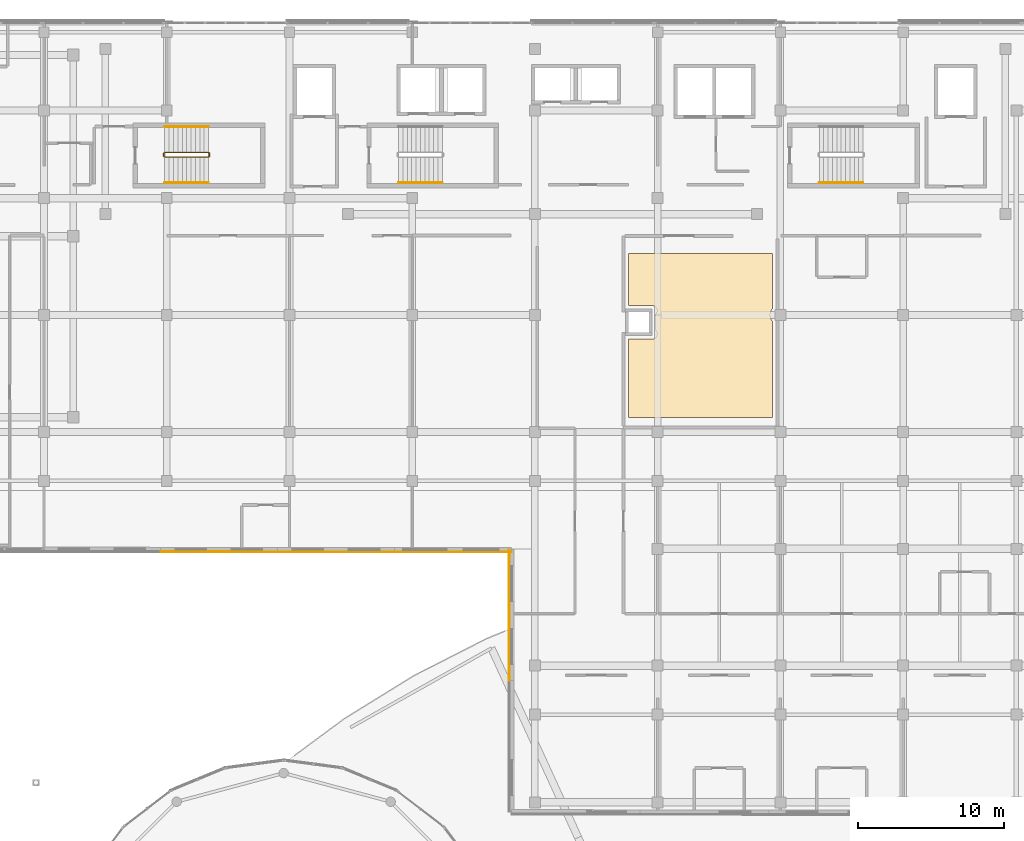
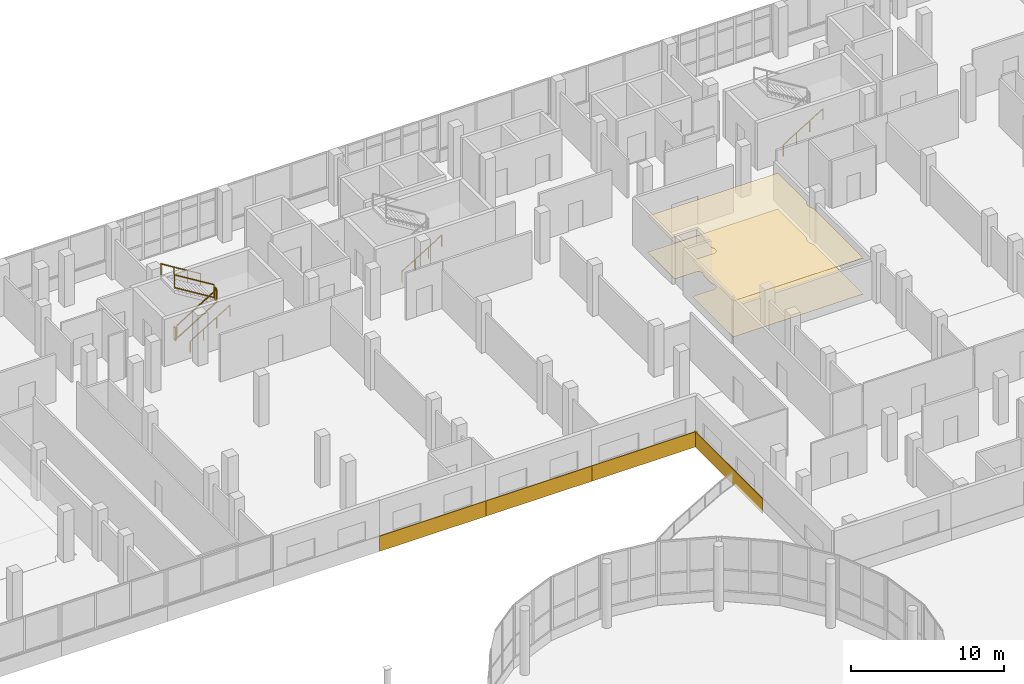
# One storey, part 98 of 101: 8 railings, 6 coverings.
"""IFC4 building model written with IfcOpenShell, lengths in metres."""

from ifc_helpers import new_model, si_unit, direction, frame, origin, origin_2d, place, context, subcontext, project, spatial, polyline, rectangle, circle, outline, extrude, material, layer, layer_set, type_object, element, save


model = new_model("IFC4")

# Units and contexts
model_context = context("Model", 3, precision=1e-05, world=origin(), true_north=direction((0.0, 1.0)))
body_context = subcontext(model_context, "Body", "Model", "MODEL_VIEW")
ifc_project = project(units=[si_unit("LENGTHUNIT", "METRE"), si_unit("AREAUNIT", "SQUARE_METRE"), si_unit("VOLUMEUNIT", "CUBIC_METRE"), si_unit("PLANEANGLEUNIT", "RADIAN"), si_unit("MASSUNIT", "GRAM", prefix="KILO")], contexts=[model_context])

# Site, building, storey
site_placement = place(None, origin())
site = spatial("IfcSite", under=ifc_project, at=site_placement, CompositionType="ELEMENT")
building_placement = place(site_placement, origin())
building = spatial("IfcBuilding", under=site, at=building_placement, Name="Selatvlak General Hospital", CompositionType="ELEMENT")
storey_placement = place(building_placement, frame((0.0, 0.0, 19.199951171875)))
storey = spatial("IfcBuildingStorey", under=building, at=storey_placement, Name="L04", CompositionType="ELEMENT", Elevation=19.199951171875)

# Coverings
ifc_material_1 = material(Name="Acoustic mineral fibre ceiling tile")
ifc_layer_1 = layer(ifc_material_1, 0.02490234375, Name="Acoustic mineral fibre ceiling tile")
ifc_layer_set_1 = layer_set([ifc_layer_1], Name="Acoustic mineral fibre ceiling tile")
covering_type_1 = type_object("IfcCoveringType", Name="COV-CEIL1", PredefinedType="CEILING", material=ifc_layer_set_1)
covering_1_placement = place(storey_placement, frame((0.0, 0.0, 2.8701171875)))
element("IfcCovering", 1, at=covering_1_placement, inside=storey, type_object=covering_type_1, Name="L04 clinical acoustic ceiling 010", PredefinedType="CEILING", context=body_context, shape_type="SweptSolid", body=[
    extrude(outline(polyline([(131.449951171875, 104.199951171875), (131.449951171875, 100.431884765625), (131.41796875, 100.388916015625), (131.383056640625, 100.330078125), (131.35302734375, 100.26806640625), (131.330078125, 100.202880859375), (131.31298828125, 100.136962890625), (131.302978515625, 100.069091796875), (131.300048828125, 100.0), (131.302978515625, 99.930908203125), (131.31298828125, 99.863037109375), (131.330078125, 99.797119140625), (131.35302734375, 99.73193359375), (131.383056640625, 99.669921875), (131.41796875, 99.611083984375), (131.449951171875, 99.568115234375), (131.449951171875, 93.0), (121.610107421875, 93.0), (121.610107421875, 98.35009765625), (123.199951171875, 98.35009765625), (123.23388671875, 98.35205078125), (123.26806640625, 98.35693359375), (123.302001953125, 98.364990234375), (123.333984375, 98.376953125), (123.364990234375, 98.39111328125), (123.39404296875, 98.408935546875), (123.422119140625, 98.428955078125), (123.447021484375, 98.452880859375), (123.470947265625, 98.47802734375), (123.490966796875, 98.506103515625), (123.509033203125, 98.534912109375), (123.52294921875, 98.56591796875), (123.534912109375, 98.597900390625), (123.54296875, 98.632080078125), (123.548095703125, 98.666015625), (123.550048828125, 98.699951171875), (123.548095703125, 98.73388671875), (123.54296875, 98.76806640625), (123.534912109375, 98.802001953125), (123.52294921875, 98.833984375), (123.509033203125, 98.864990234375), (123.490966796875, 98.89404296875), (123.470947265625, 98.922119140625), (123.449951171875, 98.945068359375), (123.449951171875, 100.054931640625), (123.470947265625, 100.077880859375), (123.490966796875, 100.10595703125), (123.509033203125, 100.135009765625), (123.52294921875, 100.166015625), (123.534912109375, 100.197998046875), (123.54296875, 100.23193359375), (123.548095703125, 100.26611328125), (123.550048828125, 100.300048828125), (123.548095703125, 100.333984375), (123.54296875, 100.367919921875), (123.534912109375, 100.402099609375), (123.52294921875, 100.43408203125), (123.509033203125, 100.465087890625), (123.490966796875, 100.493896484375), (123.470947265625, 100.52197265625), (123.447021484375, 100.547119140625), (123.422119140625, 100.571044921875), (123.39404296875, 100.591064453125), (123.364990234375, 100.60888671875), (123.333984375, 100.623046875), (123.302001953125, 100.635009765625), (123.26806640625, 100.64306640625), (123.23388671875, 100.64794921875), (123.199951171875, 100.64990234375), (121.610107421875, 100.64990234375), (121.610107421875, 104.199951171875), (131.449951171875, 104.199951171875)])), origin(), (0.0, 0.0, 1.0), 0.02490234375),
])
ifc_material_2 = material(Name="Homogeneous anti-static hospital vinyl flooring")
ifc_layer_2 = layer(ifc_material_2, 0.014892578125, Name="Homogeneous anti-static hospital vinyl flooring")
ifc_layer_set_2 = layer_set([ifc_layer_2], Name="Homogeneous anti-static hospital vinyl flooring")
covering_type_2 = type_object("IfcCoveringType", Name="COV-FLR1", PredefinedType="FLOORING", material=ifc_layer_set_2)
covering_2_placement = place(storey_placement, origin())
element("IfcCovering", 2, at=covering_2_placement, inside=storey, type_object=covering_type_2, Name="L04 seamless vinyl flooring 010", PredefinedType="FLOORING", context=body_context, shape_type="SweptSolid", body=[
    extrude(outline(polyline([(131.449951171875, 104.199951171875), (131.449951171875, 100.431884765625), (131.41796875, 100.388916015625), (131.383056640625, 100.330078125), (131.35302734375, 100.26806640625), (131.330078125, 100.202880859375), (131.31298828125, 100.136962890625), (131.302978515625, 100.069091796875), (131.300048828125, 100.0), (131.302978515625, 99.930908203125), (131.31298828125, 99.863037109375), (131.330078125, 99.797119140625), (131.35302734375, 99.73193359375), (131.383056640625, 99.669921875), (131.41796875, 99.611083984375), (131.449951171875, 99.568115234375), (131.449951171875, 93.0), (121.610107421875, 93.0), (121.610107421875, 98.35009765625), (123.199951171875, 98.35009765625), (123.23388671875, 98.35205078125), (123.26806640625, 98.35693359375), (123.302001953125, 98.364990234375), (123.333984375, 98.376953125), (123.364990234375, 98.39111328125), (123.39404296875, 98.408935546875), (123.422119140625, 98.428955078125), (123.447021484375, 98.452880859375), (123.470947265625, 98.47802734375), (123.490966796875, 98.506103515625), (123.509033203125, 98.534912109375), (123.52294921875, 98.56591796875), (123.534912109375, 98.597900390625), (123.54296875, 98.632080078125), (123.548095703125, 98.666015625), (123.550048828125, 98.699951171875), (123.548095703125, 98.73388671875), (123.54296875, 98.76806640625), (123.534912109375, 98.802001953125), (123.52294921875, 98.833984375), (123.509033203125, 98.864990234375), (123.490966796875, 98.89404296875), (123.470947265625, 98.922119140625), (123.449951171875, 98.945068359375), (123.449951171875, 100.054931640625), (123.470947265625, 100.077880859375), (123.490966796875, 100.10595703125), (123.509033203125, 100.135009765625), (123.52294921875, 100.166015625), (123.534912109375, 100.197998046875), (123.54296875, 100.23193359375), (123.548095703125, 100.26611328125), (123.550048828125, 100.300048828125), (123.548095703125, 100.333984375), (123.54296875, 100.367919921875), (123.534912109375, 100.402099609375), (123.52294921875, 100.43408203125), (123.509033203125, 100.465087890625), (123.490966796875, 100.493896484375), (123.470947265625, 100.52197265625), (123.447021484375, 100.547119140625), (123.422119140625, 100.571044921875), (123.39404296875, 100.591064453125), (123.364990234375, 100.60888671875), (123.333984375, 100.623046875), (123.302001953125, 100.635009765625), (123.26806640625, 100.64306640625), (123.23388671875, 100.64794921875), (123.199951171875, 100.64990234375), (121.610107421875, 100.64990234375), (121.610107421875, 104.199951171875), (131.449951171875, 104.199951171875)])), origin(), (0.0, 0.0, 1.0), 0.01513671875),
])
ifc_material_3 = material(Name="White Bauhaus fair-faced cladding panel")
ifc_layer_3 = layer(ifc_material_3, 0.054931640625, Name="White Bauhaus fair-faced cladding panel")
ifc_layer_set_3 = layer_set([ifc_layer_3], Name="White Bauhaus fair-faced cladding panel")
covering_type_3 = type_object("IfcCoveringType", Name="COV-WHT1", PredefinedType="CLADDING", material=ifc_layer_set_3)
covering_3_placement = place(storey_placement, frame((113.43505859375, 79.455078125, -0.27978515625), z_axis=(0.0, 0.0, 1.0), x_axis=(0.0, 1.0, 0.0)))
element("IfcCovering", 3, at=covering_3_placement, inside=storey, type_object=covering_type_3, Name="L04 Bauhaus horizontal white spandrel band 0335", PredefinedType="CLADDING", context=body_context, shape_type="SweptSolid", body=[
    extrude(rectangle(XDim=8.969970703125, YDim=0.054931640625, at=origin_2d()), origin(), (0.0, 0.0, 1.0), 1.219970703125),
])
for number, where, z_axis, x_axis, name in (
    (4, (109.595947265625, 83.778076171875, -0.27978515625), (0.0, 0.0, 1.0), (-0.999999802608, 0.000628318489, 0.0), "L04 Bauhaus horizontal white spandrel band 0336"),
    (5, (101.587890625, 83.782958984375, -0.27978515625), (0.0, 0.0, 1.0), (-0.999999718381, 0.000750491508, 0.0), "L04 Bauhaus horizontal white spandrel band 0337"),
    (6, (93.580078125, 83.7890625, -0.27978515625), (0.0, 0.0, 1.0), (-0.999999802608, 0.000628318489, 0.0), "L04 Bauhaus horizontal white spandrel band 0338"),
):
    element("IfcCovering", number, at=place(storey_placement, frame(where, z_axis=z_axis, x_axis=x_axis)), inside=storey, type_object=covering_type_3, Name=name, PredefinedType="CLADDING", context=body_context, shape_type="SweptSolid", body=[
        extrude(rectangle(XDim=8.008056640625, YDim=0.054931640625, at=origin_2d()), origin(), (0.0, 0.0, 1.0), 1.219970703125),
    ])

# Railings
ifc_material_4 = material(Name="Stainless steel 316 stair guard", Category="steel")
railing_type_1 = type_object("IfcRailingType", Name="RAIL-STG", PredefinedType="GUARDRAIL", material=ifc_material_4)
railing_1_placement = place(storey_placement, frame((89.860107421875, 110.81005859375, 0.18408203125)))
element("IfcRailing", 7, at=railing_1_placement, inside=storey, type_object=railing_type_1, Name="L04 ST-02 stair guard 1", PredefinedType="GUARDRAIL", context=body_context, shape_type="SweptSolid", body=[
    extrude(rectangle(XDim=0.068115234375, YDim=0.068115234375, at=origin_2d()), frame((0.00244140625, 0.0, 1.067626953125), z_axis=(0.852303052018, 0.0, 0.52304828412), x_axis=(0.0, 1.0, 0.0)), (0.0, 0.0, 1.0), 3.513916015625),
    extrude(rectangle(XDim=0.068115234375, YDim=0.068115234375, at=origin_2d()), frame((0.00244140625, 0.0, 0.050537109375), z_axis=(0.852303052018, 0.0, 0.52304828412), x_axis=(0.0, 1.0, 0.0)), (0.0, 0.0, 1.0), 3.513916015625),
    extrude(rectangle(XDim=0.055908203125, YDim=0.055908203125, at=origin_2d()), origin(), (0.0, 0.0, 1.0), 1.029052734375),
    extrude(rectangle(XDim=0.055908203125, YDim=0.055908203125, at=origin_2d()), frame((3.0, 0.0, 1.841064453125)), (0.0, 0.0, 1.0), 1.029052734375),
])
railing_2_placement = place(storey_placement, frame((92.909912109375, 110.860107421875, 2.025146484375)))
element("IfcRailing", 8, at=railing_2_placement, inside=storey, type_object=railing_type_1, Name="L04 ST-02 stair guard 2", PredefinedType="GUARDRAIL", context=body_context, shape_type="SweptSolid", body=[
    extrude(rectangle(XDim=0.068115234375, YDim=0.068115234375, at=origin_2d()), frame((0.0, 0.0029296875, 1.06591796875), z_axis=(0.0, 1.0, 0.0), x_axis=(-1.0, 0.0, 0.0)), (0.0, 0.0, 1.0), 0.214111328125),
    extrude(rectangle(XDim=0.068115234375, YDim=0.068115234375, at=origin_2d()), frame((0.0, 0.0029296875, 0.049072265625), z_axis=(0.0, 1.0, 0.0), x_axis=(-1.0, 0.0, 0.0)), (0.0, 0.0, 1.0), 0.214111328125),
    extrude(rectangle(XDim=0.055908203125, YDim=0.055908203125, at=origin_2d()), origin(), (0.0, 0.0, 1.0), 1.029052734375),
    extrude(rectangle(XDim=0.055908203125, YDim=0.055908203125, at=origin_2d()), frame((0.0, 0.219970703125, 0.0)), (0.0, 0.0, 1.0), 1.029052734375),
])
railing_3_placement = place(storey_placement, frame((92.860107421875, 111.1298828125, 2.209228515625)))
element("IfcRailing", 9, at=railing_3_placement, inside=storey, type_object=railing_type_1, Name="L04 ST-02 stair guard 3", PredefinedType="GUARDRAIL", context=body_context, shape_type="SweptSolid", body=[
    extrude(rectangle(XDim=0.068115234375, YDim=0.068115234375, at=origin_2d()), frame((-0.00244140625, 0.0, 1.067626953125), z_axis=(-0.852333972304, 0.0, 0.522997896417), x_axis=(0.0, -1.0, 0.0)), (0.0, 0.0, 1.0), 3.513916015625),
    extrude(rectangle(XDim=0.068115234375, YDim=0.068115234375, at=origin_2d()), frame((-0.00244140625, 0.0, 0.050537109375), z_axis=(-0.852333972304, 0.0, 0.522997896417), x_axis=(0.0, -1.0, 0.0)), (0.0, 0.0, 1.0), 3.513916015625),
    extrude(rectangle(XDim=0.055908203125, YDim=0.055908203125, at=origin_2d()), origin(), (0.0, 0.0, 1.0), 1.029052734375),
    extrude(rectangle(XDim=0.055908203125, YDim=0.055908203125, at=origin_2d()), frame((-3.0, 0.0, 1.8408203125)), (0.0, 0.0, 1.0), 1.029052734375),
])
railing_4_placement = place(storey_placement, frame((89.81005859375, 110.860107421875, 0.0)))
element("IfcRailing", 10, at=railing_4_placement, inside=storey, type_object=railing_type_1, Name="L04 ST-02 stair guard 4", PredefinedType="GUARDRAIL", context=body_context, shape_type="SweptSolid", body=[
    extrude(rectangle(XDim=0.068115234375, YDim=0.068115234375, at=origin_2d()), frame((0.0, 0.0029296875, 1.06591796875), z_axis=(0.0, 1.0, 0.0), x_axis=(-1.0, 0.0, 0.0)), (0.0, 0.0, 1.0), 0.214111328125),
    extrude(rectangle(XDim=0.068115234375, YDim=0.068115234375, at=origin_2d()), frame((0.0, 0.0029296875, 0.049072265625), z_axis=(0.0, 1.0, 0.0), x_axis=(-1.0, 0.0, 0.0)), (0.0, 0.0, 1.0), 0.214111328125),
    extrude(rectangle(XDim=0.055908203125, YDim=0.055908203125, at=origin_2d()), origin(), (0.0, 0.0, 1.0), 1.029052734375),
    extrude(rectangle(XDim=0.055908203125, YDim=0.055908203125, at=origin_2d()), frame((0.0, 0.219970703125, 0.0)), (0.0, 0.0, 1.0), 1.029052734375),
])
ifc_material_5 = material(Name="Stainless steel 316 handrail", Category="steel")
railing_type_2 = type_object("IfcRailingType", Name="RAIL-STH", PredefinedType="HANDRAIL", material=ifc_material_5)
railing_5_placement = place(storey_placement, frame((89.860107421875, 109.050048828125, 0.18408203125)))
element("IfcRailing", 11, at=railing_5_placement, inside=storey, type_object=railing_type_2, Name="L04 ST-02 stair handrail 1", PredefinedType="HANDRAIL", context=body_context, shape_type="SweptSolid", body=[
    extrude(circle(Radius=0.02392578125, at=origin_2d()), frame((0.00244140625, 0.0, 0.87744140625), z_axis=(0.852303052018, 0.0, 0.52304828412), x_axis=(0.0, 1.0, 0.0)), (0.0, 0.0, 1.0), 3.513916015625),
    extrude(circle(Radius=0.02099609375, at=origin_2d()), origin(), (0.0, 0.0, 1.0), 0.848876953125),
    extrude(circle(Radius=0.02099609375, at=origin_2d()), frame((1.0, 0.0, 0.61376953125)), (0.0, 0.0, 1.0), 0.848876953125),
    extrude(circle(Radius=0.02099609375, at=origin_2d()), frame((2.0, 0.0, 1.227294921875)), (0.0, 0.0, 1.0), 0.848876953125),
    extrude(circle(Radius=0.02099609375, at=origin_2d()), frame((3.0, 0.0, 1.841064453125)), (0.0, 0.0, 1.0), 0.848876953125),
])
railing_6_placement = place(storey_placement, frame((92.860107421875, 112.889892578125, 2.209228515625)))
element("IfcRailing", 12, at=railing_6_placement, inside=storey, type_object=railing_type_2, Name="L04 ST-02 stair handrail 2", PredefinedType="HANDRAIL", context=body_context, shape_type="SweptSolid", body=[
    extrude(circle(Radius=0.02392578125, at=origin_2d()), frame((-0.00244140625, 0.0, 0.87744140625), z_axis=(-0.852333972304, 0.0, 0.522997896417), x_axis=(0.0, -1.0, 0.0)), (0.0, 0.0, 1.0), 3.513916015625),
    extrude(circle(Radius=0.02099609375, at=origin_2d()), origin(), (0.0, 0.0, 1.0), 0.848876953125),
    extrude(circle(Radius=0.02099609375, at=origin_2d()), frame((-1.0, 0.0, 0.613525390625)), (0.0, 0.0, 1.0), 0.848876953125),
    extrude(circle(Radius=0.02099609375, at=origin_2d()), frame((-2.0, 0.0, 1.227294921875)), (0.0, 0.0, 1.0), 0.848876953125),
    extrude(circle(Radius=0.02099609375, at=origin_2d()), frame((-3.0, 0.0, 1.8408203125)), (0.0, 0.0, 1.0), 0.848876953125),
])
for number, where, name in (
    (13, (105.860107421875, 109.050048828125, 0.18408203125), "L04 ST-03 stair handrail 1"),
    (14, (134.659912109375, 109.050048828125, 0.18408203125), "L04 ST-04 stair handrail 1"),
):
    element("IfcRailing", number, at=place(storey_placement, frame(where)), inside=storey, type_object=railing_type_2, Name=name, PredefinedType="HANDRAIL", context=body_context, shape_type="SweptSolid", body=[
        extrude(circle(Radius=0.02392578125, at=origin_2d()), frame((0.00244140625, 0.0, 0.87744140625), z_axis=(0.852303052018, 0.0, 0.52304828412), x_axis=(0.0, 1.0, 0.0)), (0.0, 0.0, 1.0), 3.513916015625),
        extrude(circle(Radius=0.02099609375, at=origin_2d()), origin(), (0.0, 0.0, 1.0), 0.848876953125),
        extrude(circle(Radius=0.02099609375, at=origin_2d()), frame((1.0, 0.0, 0.61376953125)), (0.0, 0.0, 1.0), 0.848876953125),
        extrude(circle(Radius=0.02099609375, at=origin_2d()), frame((2.0, 0.0, 1.227294921875)), (0.0, 0.0, 1.0), 0.848876953125),
        extrude(circle(Radius=0.02099609375, at=origin_2d()), frame((3.0, 0.0, 1.841064453125)), (0.0, 0.0, 1.0), 0.848876953125),
    ])

save(model, "model.ifc")
